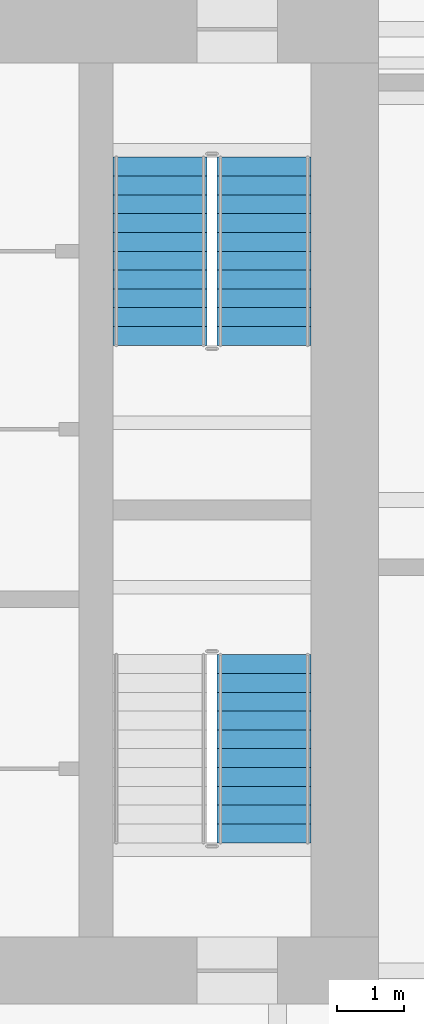
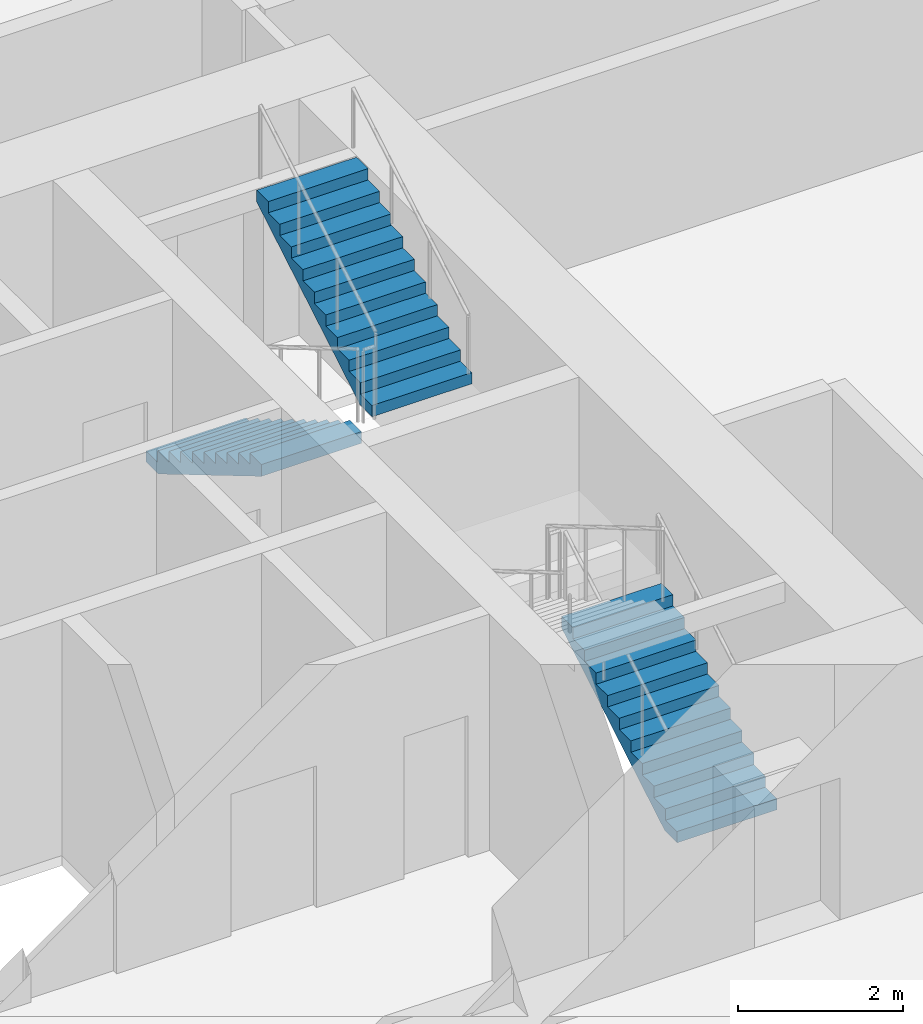
# One storey, part 17 of 20: 3 stair flights, 2 elements without a shape of their own.
"""IFC4 building model written with IfcOpenShell, lengths in metres."""

import ifcopenshell
import ifcopenshell.guid

model = None  # the IFC model being written
_history = None  # IfcOwnerHistory: only IFC2X3 demands one
_inside = {}  # id of a spatial element -> (the spatial element, [elements in it])
_under = {}  # id of a project, library or spatial element -> (it, [spatial elements below it])
_declared = {}  # id of a project -> (the project, [libraries it declares])
_typed = {}  # id of a type object -> (the type object, [elements of that type])
_made_of = {}  # id of a material, layer set ... -> (it, [elements and type objects made of it])


def new_model(schema):
    """Start an empty IFC model of exactly this schema.

    Asked for "IFC4X3", IfcOpenShell would pick the latest addendum, in which some entities
    have other attributes; the version numbers below select the first issue.
    IFC2X3 requires an IfcOwnerHistory on every rooted entity: one is made here for all.
    """
    global model, _history
    if schema == "IFC4X3":
        model = ifcopenshell.file(schema_version=(4, 3, 0, 0))
    else:
        model = ifcopenshell.file(schema=schema)
    _inside.clear()
    _under.clear()
    _declared.clear()
    _typed.clear()
    _made_of.clear()
    _history = None
    if model.schema == "IFC2X3":
        org = make("IfcOrganization", Name="unknown")
        user = make(
            "IfcPersonAndOrganization",
            ThePerson=make("IfcPerson", FamilyName="unknown"),
            TheOrganization=org,
        )
        app = make(
            "IfcApplication",
            ApplicationDeveloper=org,
            Version="unknown",
            ApplicationFullName="unknown",
            ApplicationIdentifier="unknown",
        )
        _history = make(
            "IfcOwnerHistory",
            OwningUser=user,
            OwningApplication=app,
            ChangeAction="ADDED",
            CreationDate=0,
        )
    return model


def make(cls, **values):
    """One entity of the class cls with the attributes given. An attribute that is None is left unset."""
    return model.create_entity(
        cls, **{name: value for name, value in values.items() if value is not None}
    )


def rooted(cls, **values):
    """An entity with a GlobalId (a new one), such as an element, a storey or a relation."""
    return make(cls, GlobalId=ifcopenshell.guid.new(), OwnerHistory=_history, **values)


def si_unit(unit_type, name, prefix=None):
    """IfcSIUnit, for example si_unit("LENGTHUNIT", "METRE", prefix="MILLI")."""
    return make("IfcSIUnit", UnitType=unit_type, Prefix=prefix, Name=name)


def assignment(units):
    """IfcUnitAssignment: the units of a project."""
    return None if units is None else make("IfcUnitAssignment", Units=units)


def point(xyz):
    """IfcCartesianPoint."""
    return None if xyz is None else make("IfcCartesianPoint", Coordinates=xyz)


def direction(xyz):
    """IfcDirection."""
    return None if xyz is None else make("IfcDirection", DirectionRatios=xyz)


def frame(location, z_axis=None, x_axis=None):
    """IfcAxis2Placement3D, a coordinate frame: its origin and axes. An axis left out is left unset."""
    return make(
        "IfcAxis2Placement3D",
        Location=point(location),
        Axis=direction(z_axis),
        RefDirection=direction(x_axis),
    )


def origin():
    """The frame at (0, 0, 0) with its axes left unset."""
    return frame((0.0, 0.0, 0.0))


def place(relative_to, where):
    """IfcLocalPlacement: puts the frame where relative to a parent placement (None: the world)."""
    return make(
        "IfcLocalPlacement", PlacementRelTo=relative_to, RelativePlacement=where
    )


def context(
    kind, dimensions, precision=None, world=None, true_north=None, identifier=None
):
    """IfcGeometricRepresentationContext, for example the 3D "Model" context."""
    return make(
        "IfcGeometricRepresentationContext",
        ContextIdentifier=identifier,
        ContextType=kind,
        CoordinateSpaceDimension=dimensions,
        Precision=precision,
        WorldCoordinateSystem=world,
        TrueNorth=true_north,
    )


def subcontext(parent, identifier, kind, view, scale=None):
    """IfcGeometricRepresentationSubContext, for example "Body" below "Model"."""
    return make(
        "IfcGeometricRepresentationSubContext",
        ContextIdentifier=identifier,
        ContextType=kind,
        ParentContext=parent,
        TargetScale=scale,
        TargetView=view,
    )


def project(units=None, contexts=None):
    """IfcProject with its units and contexts."""
    return rooted(
        "IfcProject",
        Name="project",
        RepresentationContexts=contexts,
        UnitsInContext=assignment(units),
    )


def spatial(cls, under=None, at=None, **own):
    """A site, building, storey or space (cls), placed at a placement, below another one or the project."""
    s = rooted(cls, ObjectPlacement=at, **own)
    if under is not None:
        _under.setdefault(under.id(), (under, []))[1].append(s)
    return s


def polyline(points):
    """IfcPolyline through the points."""
    return make("IfcPolyline", Points=[point(p) for p in points])


def outline(outer, holes=None, kind="AREA"):
    """IfcArbitraryClosedProfileDef: a profile drawn as a closed curve; with holes, ...WithVoids."""
    if holes is None:
        return make("IfcArbitraryClosedProfileDef", ProfileType=kind, OuterCurve=outer)
    return make(
        "IfcArbitraryProfileDefWithVoids",
        ProfileType=kind,
        OuterCurve=outer,
        InnerCurves=holes,
    )


def extrude(swept, where, along, depth):
    """IfcExtrudedAreaSolid: the profile swept, set in the frame where, extruded along a direction by depth."""
    return make(
        "IfcExtrudedAreaSolid",
        SweptArea=swept,
        Position=where,
        ExtrudedDirection=direction(along),
        Depth=depth,
    )


def shape(context_of_items, identifier, shape_type, items):
    """IfcShapeRepresentation: the items that make up one representation, for example the "Body"."""
    return make(
        "IfcShapeRepresentation",
        ContextOfItems=context_of_items,
        RepresentationIdentifier=identifier,
        RepresentationType=shape_type,
        Items=items,
    )


def material(Name=None, Category=None):
    """IfcMaterial."""
    return make("IfcMaterial", Name=Name, Category=Category)


def made_of(thing, what):
    """Note that an element or type object is made of a material, layer set ...; save() writes the relation."""
    if what is not None:
        _made_of.setdefault(what.id(), (what, []))[1].append(thing)
    return thing


def type_object(cls, material=None, **own):
    """A type object (cls), such as IfcWallType, which elements share."""
    return made_of(rooted(cls, **own), material)


def element(
    cls,
    number,
    at=None,
    inside=None,
    cuts=None,
    type_object=None,
    material=None,
    context=None,
    identifier="Body",
    shape_type=None,
    held_by="IfcProductDefinitionShape",
    body=None,
    shapes=None,
    **own,
):
    """One element of the class cls, such as IfcWall. Its Tag is "e" and its number.

    at: its placement. inside: the storey or other place that contains it. cuts: it is an
    opening in that element (IfcRelVoidsElement). A single representation is given by context,
    identifier, shape_type and body (its items); several are given by shapes. held_by: the class
    of the entity that holds the representations. save() writes the other relations.
    """
    e = rooted(cls, Tag="e%d" % number, ObjectPlacement=at, **own)
    if body is not None:
        shapes = [shape(context, identifier, shape_type, body)]
    if shapes is not None:
        e.Representation = make(held_by, Representations=shapes)
    if inside is not None:
        _inside.setdefault(inside.id(), (inside, []))[1].append(e)
    if cuts is not None:
        rooted(
            "IfcRelVoidsElement", RelatingBuildingElement=cuts, RelatedOpeningElement=e
        )
    if type_object is not None:
        _typed.setdefault(type_object.id(), (type_object, []))[1].append(e)
    return made_of(e, material)


def aggregate(whole, parts):
    """IfcRelAggregates: a whole, such as a stair, and the parts it consists of."""
    return rooted("IfcRelAggregates", RelatingObject=whole, RelatedObjects=parts)


def save(model, path):
    """Write the relations noted so far, then the file.

    IfcRelAggregates (storeys below a building ...), IfcRelContainedInSpatialStructure (elements
    in a storey), IfcRelDefinesByType, IfcRelAssociatesMaterial and IfcRelDeclares: one each for
    every whole, place, type object, material and project.
    """
    for whole, parts in _under.values():
        aggregate(whole, parts)
    for where, things in _inside.values():
        rooted(
            "IfcRelContainedInSpatialStructure",
            RelatedElements=things,
            RelatingStructure=where,
        )
    for kind, things in _typed.values():
        rooted("IfcRelDefinesByType", RelatedObjects=things, RelatingType=kind)
    for what, things in _made_of.values():
        rooted("IfcRelAssociatesMaterial", RelatedObjects=things, RelatingMaterial=what)
    for by, libraries in _declared.values():
        rooted("IfcRelDeclares", RelatingContext=by, RelatedDefinitions=libraries)
    model.write(path)


model = new_model("IFC4")

# Units and contexts
model_context = context("Model", 3, precision=1e-05, world=origin(), true_north=direction((0.0, 1.0)))
body_context = subcontext(model_context, "Body", "Model", "MODEL_VIEW")
ifc_project = project(units=[si_unit("LENGTHUNIT", "METRE"), si_unit("AREAUNIT", "SQUARE_METRE"), si_unit("VOLUMEUNIT", "CUBIC_METRE"), si_unit("PLANEANGLEUNIT", "RADIAN"), si_unit("MASSUNIT", "GRAM", prefix="KILO")], contexts=[model_context])

# Site, building, storey
site_placement = place(None, origin())
site = spatial("IfcSite", under=ifc_project, at=site_placement, CompositionType="ELEMENT")
building_placement = place(site_placement, origin())
building = spatial("IfcBuilding", under=site, at=building_placement, Name="Isthmus Gate Tower", CompositionType="ELEMENT")
storey_placement = place(building_placement, frame((0.0, 0.0, 57.89990234375)))
storey = spatial("IfcBuildingStorey", under=building, at=storey_placement, Name="L12", CompositionType="ELEMENT", Elevation=57.89990234375)

# Stair, stair flights
ifc_material_1 = material(Name="Concrete f'c 40 MPa", Category="concrete")
stair_type = type_object("IfcStairType", Name="CORE STAIR 22 RISERS", PredefinedType="HALF_TURN_STAIR", material=ifc_material_1)
stair_1_placement = place(storey_placement, origin())
stair_1 = element("IfcStair", 1, at=stair_1_placement, inside=storey, type_object=stair_type, Name="L12 Exit Stair 2", PredefinedType="HALF_TURN_STAIR")
ifc_material_2 = material(Name="Concrete f'c 40 MPa", Category="concrete")
stair_flight_type = type_object("IfcStairFlightType", Name="STAIR FLIGHT RC 1400", PredefinedType="STRAIGHT", material=ifc_material_2)
stair_flight_1_placement = place(storey_placement, frame((11.75, 12.60009765625, 0.0), z_axis=(0.0, 0.0, 1.0), x_axis=(0.0, -1.0, 0.0)))
stair_flight_1 = element("IfcStairFlight", 2, at=stair_flight_1_placement, type_object=stair_flight_type, Name="ST2 flight 1", NumberOfRisers=11, NumberOfTreads=10, PredefinedType="STRAIGHT", RiserHeight=0.165909091, TreadLength=0.28, context=body_context, shape_type="SweptSolid", body=[
    extrude(outline(polyline([(0.0, 0.0), (0.0, 0.166015625), (0.280029296875, 0.166015625), (0.280029296875, 0.331787109375), (0.56005859375, 0.331787109375), (0.56005859375, 0.497802734375), (0.840087890625, 0.497802734375), (0.840087890625, 0.66357421875), (1.1201171875, 0.66357421875), (1.1201171875, 0.82958984375), (1.39990234375, 0.82958984375), (1.39990234375, 0.995361328125), (1.679931640625, 0.995361328125), (1.679931640625, 1.161376953125), (1.9599609375, 1.161376953125), (1.9599609375, 1.327392578125), (2.239990234375, 1.327392578125), (2.239990234375, 1.4931640625), (2.52001953125, 1.4931640625), (2.52001953125, 1.6591796875), (2.800048828125, 1.6591796875), (2.800048828125, 1.824951171875), (2.800048828125, 1.48486328125), (0.2939453125, 0.0), (0.0, 0.0)])), frame((0.0, 0.699951171875, 0.0), z_axis=(0.0, -1.0, 0.0), x_axis=(1.0, 0.0, 0.0)), (0.0, 0.0, 1.0), 1.39990234375),
])
stair_flight_2_placement = place(storey_placement, frame((13.300048828125, 9.800048828125, 1.8251953125), z_axis=(0.0, 0.0, 1.0), x_axis=(0.0, 1.0, 0.0)))
stair_flight_2 = element("IfcStairFlight", 3, at=stair_flight_2_placement, type_object=stair_flight_type, Name="ST2 flight 2", NumberOfRisers=11, NumberOfTreads=10, PredefinedType="STRAIGHT", RiserHeight=0.165909091, TreadLength=0.28, context=body_context, shape_type="SweptSolid", body=[
    extrude(outline(polyline([(0.0, 0.0), (0.0, 0.166015625), (0.280029296875, 0.166015625), (0.280029296875, 0.331787109375), (0.56005859375, 0.331787109375), (0.56005859375, 0.497802734375), (0.840087890625, 0.497802734375), (0.840087890625, 0.66357421875), (1.1201171875, 0.66357421875), (1.1201171875, 0.82958984375), (1.39990234375, 0.82958984375), (1.39990234375, 0.995361328125), (1.679931640625, 0.995361328125), (1.679931640625, 1.161376953125), (1.9599609375, 1.161376953125), (1.9599609375, 1.327392578125), (2.239990234375, 1.327392578125), (2.239990234375, 1.4931640625), (2.52001953125, 1.4931640625), (2.52001953125, 1.6591796875), (2.800048828125, 1.6591796875), (2.800048828125, 1.824951171875), (2.800048828125, 1.48486328125), (0.2939453125, 0.0), (0.0, 0.0)])), frame((0.0, 0.699951171875, 0.0), z_axis=(0.0, -1.0, 0.0), x_axis=(1.0, 0.0, 0.0)), (0.0, 0.0, 1.0), 1.39990234375),
])
aggregate(stair_1, [stair_flight_1, stair_flight_2])

# Stair, stair flight
stair_2_placement = place(storey_placement, origin())
stair_2 = element("IfcStair", 4, at=stair_2_placement, inside=storey, type_object=stair_type, Name="L12 Exit Stair 8", PredefinedType="HALF_TURN_STAIR")
stair_flight_3_placement = place(storey_placement, frame((13.300048828125, 2.39990234375, 0.0), z_axis=(0.0, 0.0, 1.0), x_axis=(0.0, 1.0, 0.0)))
stair_flight_3 = element("IfcStairFlight", 5, at=stair_flight_3_placement, type_object=stair_flight_type, Name="ST8 flight 1", NumberOfRisers=11, NumberOfTreads=10, PredefinedType="STRAIGHT", RiserHeight=0.165909091, TreadLength=0.28, context=body_context, shape_type="SweptSolid", body=[
    extrude(outline(polyline([(0.0, 0.0), (0.0, 0.166015625), (0.280029296875, 0.166015625), (0.280029296875, 0.331787109375), (0.56005859375, 0.331787109375), (0.56005859375, 0.497802734375), (0.840087890625, 0.497802734375), (0.840087890625, 0.66357421875), (1.1201171875, 0.66357421875), (1.1201171875, 0.82958984375), (1.39990234375, 0.82958984375), (1.39990234375, 0.995361328125), (1.679931640625, 0.995361328125), (1.679931640625, 1.161376953125), (1.9599609375, 1.161376953125), (1.9599609375, 1.327392578125), (2.239990234375, 1.327392578125), (2.239990234375, 1.4931640625), (2.52001953125, 1.4931640625), (2.52001953125, 1.6591796875), (2.800048828125, 1.6591796875), (2.800048828125, 1.824951171875), (2.800048828125, 1.48486328125), (0.2939453125, 0.0), (0.0, 0.0)])), frame((0.0, 0.699951171875, 0.0), z_axis=(0.0, -1.0, 0.0), x_axis=(1.0, 0.0, 0.0)), (0.0, 0.0, 1.0), 1.39990234375),
])
aggregate(stair_2, [stair_flight_3])

save(model, "model.ifc")
